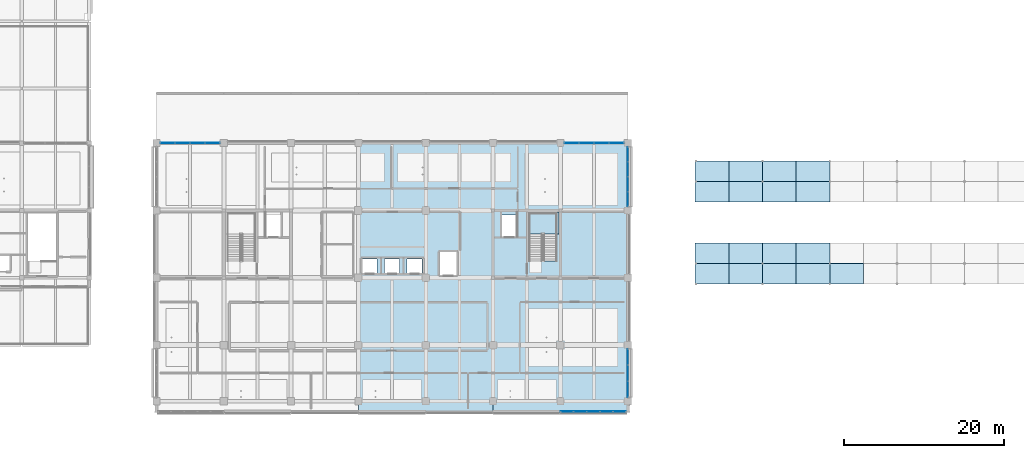
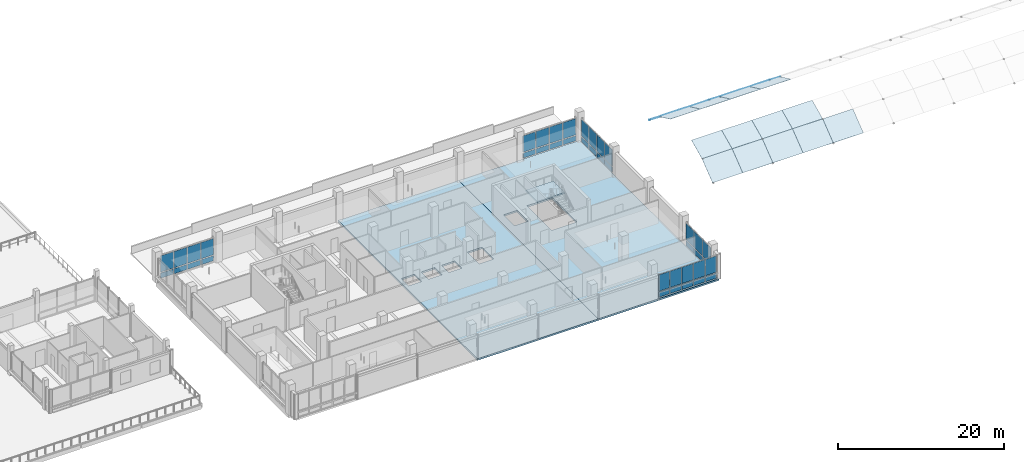
# One storey, part 18 of 59: 57 plates, 3 slabs, 6 elements without a shape of their own.
"""IFC4 building model written with IfcOpenShell, lengths in metres."""

from ifc_helpers import new_model, si_unit, direction, frame, origin, origin_2d, place, context, subcontext, project, spatial, polyline, rectangle, outline, extrude, material, layer, layer_set, type_object, element, aggregate, save


model = new_model("IFC4")

# Units and contexts
model_context = context("Model", 3, precision=1e-05, world=origin(), true_north=direction((0.0, 1.0)))
body_context = subcontext(model_context, "Body", "Model", "MODEL_VIEW")
ifc_project = project(units=[si_unit("LENGTHUNIT", "METRE"), si_unit("AREAUNIT", "SQUARE_METRE"), si_unit("VOLUMEUNIT", "CUBIC_METRE"), si_unit("PLANEANGLEUNIT", "RADIAN"), si_unit("MASSUNIT", "GRAM", prefix="KILO")], contexts=[model_context])

# Site, building, storey
site_placement = place(None, origin())
site = spatial("IfcSite", under=ifc_project, at=site_placement, CompositionType="ELEMENT")
building_placement = place(site_placement, origin())
building = spatial("IfcBuilding", under=site, at=building_placement, Name="Telukmera Botanical Conservatory", CompositionType="ELEMENT")
storey_placement = place(building_placement, frame((0.0, 0.0, 15.0)))
storey = spatial("IfcBuildingStorey", under=building, at=storey_placement, Name="L03", CompositionType="ELEMENT", Elevation=15.0)

# Plates
ifc_material_1 = material(Name="Low-iron laminated conservatory glass", Category="glass")
ifc_layer_1 = layer(ifc_material_1, 0.031982421875)
ifc_layer_set_1 = layer_set([ifc_layer_1], Name="Low-iron laminated conservatory glass")
plate_type_1 = type_object("IfcPlateType", Name="Conservatory Gridshell Laminated Skylight Facet 32", PredefinedType="USERDEFINED", material=ifc_layer_set_1)
plate_1_placement = place(storey_placement, frame((117.60205078125, 25.251953125, 1.453857421875), z_axis=(0.0, -0.617111539729, 0.786875687472), x_axis=(1.0, 0.0, 0.0)))
element("IfcPlate", 1, at=plate_1_placement, inside=storey, type_object=plate_type_1, Name="Conservatory Gridshell Glass Facet 01-04", ObjectType="SKYLIGHT_PANEL", PredefinedType="USERDEFINED", context=body_context, shape_type="SweptSolid", body=[
    extrude(outline(polyline([(0.0, 0.0), (4.196044921875, 0.0), (4.196044921875, 3.235762165058796), (0.0, 3.235762165058796), (0.0, 0.0)])), origin(), (0.0, 0.0, -1.0), 0.031982421875),
])
plate_2_placement = place(storey_placement, frame((117.60205078125, 27.802001953125, 3.453369140625), z_axis=(0.0, -0.425776142799, 0.904828534156), x_axis=(1.0, 0.0, 0.0)))
element("IfcPlate", 2, at=plate_2_placement, inside=storey, type_object=plate_type_1, Name="Conservatory Gridshell Glass Facet 01-05", ObjectType="SKYLIGHT_PANEL", PredefinedType="USERDEFINED", context=body_context, shape_type="SweptSolid", body=[
    extrude(outline(polyline([(0.0, 0.0), (4.196044921875, 0.0), (4.196044921875, 2.8136805387927852), (0.0, 2.8136805387927852), (0.0, 0.0)])), origin(), (0.0, 0.0, -1.0), 0.031982421875),
])
plate_3_placement = place(storey_placement, frame((117.60205078125, 35.451904296875, 4.6513671875), z_axis=(0.0, 0.425742716941, 0.904844262275), x_axis=(1.0, 0.0, 0.0)))
element("IfcPlate", 3, at=plate_3_placement, inside=storey, type_object=plate_type_1, Name="Conservatory Gridshell Glass Facet 01-08", ObjectType="SKYLIGHT_PANEL", PredefinedType="USERDEFINED", context=body_context, shape_type="SweptSolid", body=[
    extrude(outline(polyline([(0.0, 0.0), (4.196044921875, 0.0), (4.196044921875, 2.8139014461166436), (0.0, 2.8139014461166436), (0.0, 0.0)])), origin(), (0.0, 0.0, -1.0), 0.031982421875),
])
for number, where, z_axis, x_axis, name in (
    (4, (117.60205078125, 38.001953125, 3.45068359375), (0.0, 0.617111539729, 0.786875687472), (1.0, 0.0, 0.0), "Conservatory Gridshell Glass Facet 01-09"),
    (5, (121.802001953125, 25.251953125, 1.453857421875), (0.0, -0.617111539729, 0.786875687472), (1.0, 0.0, 0.0), "Conservatory Gridshell Glass Facet 02-04"),
):
    element("IfcPlate", number, at=place(storey_placement, frame(where, z_axis=z_axis, x_axis=x_axis)), inside=storey, type_object=plate_type_1, Name=name, ObjectType="SKYLIGHT_PANEL", PredefinedType="USERDEFINED", context=body_context, shape_type="SweptSolid", body=[
        extrude(outline(polyline([(0.0, 0.0), (4.196044921875, 0.0), (4.196044921875, 3.235762165058796), (0.0, 3.235762165058796), (0.0, 0.0)])), origin(), (0.0, 0.0, -1.0), 0.031982421875),
    ])
plate_4_placement = place(storey_placement, frame((121.802001953125, 27.802001953125, 3.453369140625), z_axis=(0.0, -0.425776142799, 0.904828534156), x_axis=(1.0, 0.0, 0.0)))
element("IfcPlate", 6, at=plate_4_placement, inside=storey, type_object=plate_type_1, Name="Conservatory Gridshell Glass Facet 02-05", ObjectType="SKYLIGHT_PANEL", PredefinedType="USERDEFINED", context=body_context, shape_type="SweptSolid", body=[
    extrude(outline(polyline([(0.0, 0.0), (4.196044921875, 0.0), (4.196044921875, 2.8136805387927852), (0.0, 2.8136805387927852), (0.0, 0.0)])), origin(), (0.0, 0.0, -1.0), 0.031982421875),
])
plate_5_placement = place(storey_placement, frame((121.802001953125, 35.451904296875, 4.6513671875), z_axis=(0.0, 0.425742716941, 0.904844262275), x_axis=(1.0, 0.0, 0.0)))
element("IfcPlate", 7, at=plate_5_placement, inside=storey, type_object=plate_type_1, Name="Conservatory Gridshell Glass Facet 02-08", ObjectType="SKYLIGHT_PANEL", PredefinedType="USERDEFINED", context=body_context, shape_type="SweptSolid", body=[
    extrude(outline(polyline([(0.0, 0.0), (4.196044921875, 0.0), (4.196044921875, 2.8139014461166436), (0.0, 2.8139014461166436), (0.0, 0.0)])), origin(), (0.0, 0.0, -1.0), 0.031982421875),
])
for number, where, z_axis, x_axis, name in (
    (8, (121.802001953125, 38.001953125, 3.45068359375), (0.0, 0.617111539729, 0.786875687472), (1.0, 0.0, 0.0), "Conservatory Gridshell Glass Facet 02-09"),
    (9, (126.001953125, 25.251953125, 1.453857421875), (0.0, -0.617111539729, 0.786875687472), (1.0, 0.0, 0.0), "Conservatory Gridshell Glass Facet 03-04"),
):
    element("IfcPlate", number, at=place(storey_placement, frame(where, z_axis=z_axis, x_axis=x_axis)), inside=storey, type_object=plate_type_1, Name=name, ObjectType="SKYLIGHT_PANEL", PredefinedType="USERDEFINED", context=body_context, shape_type="SweptSolid", body=[
        extrude(outline(polyline([(0.0, 0.0), (4.196044921875, 0.0), (4.196044921875, 3.235762165058796), (0.0, 3.235762165058796), (0.0, 0.0)])), origin(), (0.0, 0.0, -1.0), 0.031982421875),
    ])
plate_6_placement = place(storey_placement, frame((126.001953125, 27.802001953125, 3.453369140625), z_axis=(0.0, -0.425776142799, 0.904828534156), x_axis=(1.0, 0.0, 0.0)))
element("IfcPlate", 10, at=plate_6_placement, inside=storey, type_object=plate_type_1, Name="Conservatory Gridshell Glass Facet 03-05", ObjectType="SKYLIGHT_PANEL", PredefinedType="USERDEFINED", context=body_context, shape_type="SweptSolid", body=[
    extrude(outline(polyline([(0.0, 0.0), (4.196044921875, 0.0), (4.196044921875, 2.8136805387927852), (0.0, 2.8136805387927852), (0.0, 0.0)])), origin(), (0.0, 0.0, -1.0), 0.031982421875),
])
plate_7_placement = place(storey_placement, frame((126.001953125, 35.451904296875, 4.6513671875), z_axis=(0.0, 0.425742716941, 0.904844262275), x_axis=(1.0, 0.0, 0.0)))
element("IfcPlate", 11, at=plate_7_placement, inside=storey, type_object=plate_type_1, Name="Conservatory Gridshell Glass Facet 03-08", ObjectType="SKYLIGHT_PANEL", PredefinedType="USERDEFINED", context=body_context, shape_type="SweptSolid", body=[
    extrude(outline(polyline([(0.0, 0.0), (4.196044921875, 0.0), (4.196044921875, 2.8139014461166436), (0.0, 2.8139014461166436), (0.0, 0.0)])), origin(), (0.0, 0.0, -1.0), 0.031982421875),
])
for number, where, z_axis, x_axis, name in (
    (12, (126.001953125, 38.001953125, 3.45068359375), (0.0, 0.617111539729, 0.786875687472), (1.0, 0.0, 0.0), "Conservatory Gridshell Glass Facet 03-09"),
    (13, (130.201904296875, 25.251953125, 1.453857421875), (0.0, -0.617111539729, 0.786875687472), (1.0, 0.0, 0.0), "Conservatory Gridshell Glass Facet 04-04"),
):
    element("IfcPlate", number, at=place(storey_placement, frame(where, z_axis=z_axis, x_axis=x_axis)), inside=storey, type_object=plate_type_1, Name=name, ObjectType="SKYLIGHT_PANEL", PredefinedType="USERDEFINED", context=body_context, shape_type="SweptSolid", body=[
        extrude(outline(polyline([(0.0, 0.0), (4.196044921875, 0.0), (4.196044921875, 3.235762165058796), (0.0, 3.235762165058796), (0.0, 0.0)])), origin(), (0.0, 0.0, -1.0), 0.031982421875),
    ])
plate_8_placement = place(storey_placement, frame((130.201904296875, 27.802001953125, 3.453369140625), z_axis=(0.0, -0.425776142799, 0.904828534156), x_axis=(1.0, 0.0, 0.0)))
element("IfcPlate", 14, at=plate_8_placement, inside=storey, type_object=plate_type_1, Name="Conservatory Gridshell Glass Facet 04-05", ObjectType="SKYLIGHT_PANEL", PredefinedType="USERDEFINED", context=body_context, shape_type="SweptSolid", body=[
    extrude(outline(polyline([(0.0, 0.0), (4.196044921875, 0.0), (4.196044921875, 2.8136805387927852), (0.0, 2.8136805387927852), (0.0, 0.0)])), origin(), (0.0, 0.0, -1.0), 0.031982421875),
])
plate_9_placement = place(storey_placement, frame((130.201904296875, 35.451904296875, 4.6513671875), z_axis=(0.0, 0.425742716941, 0.904844262275), x_axis=(1.0, 0.0, 0.0)))
element("IfcPlate", 15, at=plate_9_placement, inside=storey, type_object=plate_type_1, Name="Conservatory Gridshell Glass Facet 04-08", ObjectType="SKYLIGHT_PANEL", PredefinedType="USERDEFINED", context=body_context, shape_type="SweptSolid", body=[
    extrude(outline(polyline([(0.0, 0.0), (4.196044921875, 0.0), (4.196044921875, 2.8139014461166436), (0.0, 2.8139014461166436), (0.0, 0.0)])), origin(), (0.0, 0.0, -1.0), 0.031982421875),
])
plate_10_placement = place(storey_placement, frame((130.201904296875, 38.001953125, 3.45068359375), z_axis=(0.0, 0.617111539729, 0.786875687472), x_axis=(1.0, 0.0, 0.0)))
element("IfcPlate", 16, at=plate_10_placement, inside=storey, type_object=plate_type_1, Name="Conservatory Gridshell Glass Facet 04-09", ObjectType="SKYLIGHT_PANEL", PredefinedType="USERDEFINED", context=body_context, shape_type="SweptSolid", body=[
    extrude(outline(polyline([(0.0, 0.0), (4.196044921875, 0.0), (4.196044921875, 3.235762165058796), (0.0, 3.235762165058796), (0.0, 0.0)])), origin(), (0.0, 0.0, -1.0), 0.031982421875),
])
plate_11_placement = place(storey_placement, frame((134.402099609375, 25.251953125, 1.453857421875), z_axis=(0.0, -0.617111539729, 0.786875687472), x_axis=(1.0, 0.0, 0.0)))
element("IfcPlate", 17, at=plate_11_placement, inside=storey, type_object=plate_type_1, Name="Conservatory Gridshell Glass Facet 05-04", ObjectType="SKYLIGHT_PANEL", PredefinedType="USERDEFINED", context=body_context, shape_type="SweptSolid", body=[
    extrude(outline(polyline([(0.0, 0.0), (4.19580078125, 0.0), (4.19580078125, 3.235762165058796), (0.0, 3.235762165058796), (0.0, 0.0)])), origin(), (0.0, 0.0, -1.0), 0.031982421875),
])

# Stair, slab
ifc_material_2 = material(Name="Concrete C40/50", Category="concrete")
stair_type = type_object("IfcStairType", Name="ST-ESC-4500", PredefinedType="HALF_TURN_STAIR", material=ifc_material_2)
stair_placement = place(storey_placement, origin())
stair = element("IfcStair", 18, at=stair_placement, inside=storey, type_object=stair_type, Name="L03 Protected Escape Stair ST2", PredefinedType="HALF_TURN_STAIR")
ifc_layer_2 = layer(ifc_material_2, 0.199951171875)
ifc_layer_set_2 = layer_set([ifc_layer_2], Name="Concrete C40/50")
slab_type_1 = type_object("IfcSlabType", Name="SL-LAND-200", PredefinedType="LANDING", material=ifc_layer_set_2)
slab_1_placement = place(storey_placement, frame((0.0, 0.0, 2.050048828125)))
slab_1 = element("IfcSlab", 19, at=slab_1_placement, type_object=slab_type_1, Name="ST2 landing 1", PredefinedType="LANDING", context=body_context, shape_type="SweptSolid", body=[
    extrude(outline(polyline([(96.7548828125, 31.449951171875), (100.594970703125, 31.449951171875), (100.594970703125, 34.195068359375), (96.7548828125, 34.195068359375), (96.7548828125, 31.449951171875)])), origin(), (0.0, 0.0, 1.0), 0.199951171875),
])
aggregate(stair, [slab_1])

# Slabs
ifc_layer_3 = layer(ifc_material_2, 0.25)
ifc_layer_set_3 = layer_set([ifc_layer_3], Name="Concrete C40/50")
slab_type_2 = type_object("IfcSlabType", Name="Slab_FS25", PredefinedType="FLOOR", material=ifc_layer_set_3)
slab_2_placement = place(storey_placement, frame((0.0, 0.0, -0.25)))
element("IfcSlab", 20, at=slab_2_placement, inside=storey, type_object=slab_type_2, Name="Tower Floor Slab L03 (CENT)", PredefinedType="FLOOR", context=body_context, shape_type="SweptSolid", body=[
    extrude(outline(polyline([(75.60009765625, 9.199951171875), (92.39990234375, 9.199951171875), (92.39990234375, 42.800048828125), (75.60009765625, 42.800048828125), (75.60009765625, 9.199951171875)]), holes=[polyline([(85.780029296875, 26.3798828125), (87.820068359375, 26.3798828125), (87.820068359375, 29.219970703125), (85.780029296875, 29.219970703125), (85.780029296875, 26.3798828125)]), polyline([(76.080078125, 26.6298828125), (77.919921875, 26.6298828125), (77.919921875, 28.3701171875), (76.080078125, 28.3701171875), (76.080078125, 26.6298828125)]), polyline([(78.8798828125, 26.6298828125), (80.719970703125, 26.6298828125), (80.719970703125, 28.3701171875), (78.8798828125, 28.3701171875), (78.8798828125, 26.6298828125)]), polyline([(81.679931640625, 26.6298828125), (83.52001953125, 26.6298828125), (83.52001953125, 28.3701171875), (81.679931640625, 28.3701171875), (81.679931640625, 26.6298828125)])]), origin(), (0.0, 0.0, 1.0), 0.25),
])
slab_3_placement = place(storey_placement, frame((0.0, 0.0, -0.25)))
element("IfcSlab", 21, at=slab_3_placement, inside=storey, type_object=slab_type_2, Name="Tower Floor Slab L03 (EAST)", PredefinedType="FLOOR", context=body_context, shape_type="SweptSolid", body=[
    extrude(outline(polyline([(92.39990234375, 9.199951171875), (109.199951171875, 9.199951171875), (109.199951171875, 42.800048828125), (92.39990234375, 42.800048828125), (92.39990234375, 9.199951171875)]), holes=[polyline([(100.35009765625, 28.093017578125), (100.35009765625, 34.050048828125), (96.8701171875, 34.050048828125), (96.8701171875, 28.093017578125), (100.35009765625, 28.093017578125)]), polyline([(93.47998046875, 31.179931640625), (95.320068359375, 31.179931640625), (95.320068359375, 33.820068359375), (93.47998046875, 33.820068359375), (93.47998046875, 31.179931640625)])]), origin(), (0.0, 0.0, 1.0), 0.25),
])

# Curtain wall, plates
ifc_material_3 = material(Name="Anodised aluminium 6063-T6", Category="aluminium")
ifc_layer_4 = layer(ifc_material_3, 0.179931640625)
ifc_layer_set_4 = layer_set([ifc_layer_4], Name="Anodised aluminium 6063-T6")
curtain_wall_type = type_object("IfcCurtainWallType", Name="Tower Herbarium Curation Corner Curtain Wall", PredefinedType="USERDEFINED", material=ifc_layer_set_4)
curtain_wall_1_placement = place(storey_placement, origin())
curtain_wall_1 = element("IfcCurtainWall", 22, at=curtain_wall_1_placement, inside=storey, type_object=curtain_wall_type, Name="Unitised Curtain Wall CW14 V4:L03:S7", ObjectType="UNITISED CURTAIN WALL", PredefinedType="USERDEFINED")
ifc_material_4 = material(Name="Spectrally selective low-E double glazing", Category="glass")
ifc_layer_5 = layer(ifc_material_4, 0.0380859375)
ifc_layer_set_5 = layer_set([ifc_layer_5], Name="Spectrally selective low-E double glazing")
plate_type_2 = type_object("IfcPlateType", Name="Solar Control Fritted Spandrel Glazing Panel 38", PredefinedType="CURTAIN_PANEL", material=ifc_layer_set_5)
plate_12_placement = place(storey_placement, frame((101.638916015625, 9.320068359375, 0.130126953125), z_axis=(0.0, 0.0, 1.0), x_axis=(1.0, 0.0, 0.0)))
plate_12 = element("IfcPlate", 23, at=plate_12_placement, type_object=plate_type_2, Name="CW14 panel 1.1", PredefinedType="CURTAIN_PANEL", context=body_context, shape_type="SweptSolid", body=[
    extrude(rectangle(XDim=1.543701171875, YDim=0.0380859375, at=origin_2d()), origin(), (0.0, 0.0, 1.0), 0.7548828125),
])
plate_13_placement = place(storey_placement, frame((101.638916015625, 9.320068359375, 1.01513671875), z_axis=(0.0, 0.0, 1.0), x_axis=(1.0, 0.0, 0.0)))
plate_13 = element("IfcPlate", 24, at=plate_13_placement, type_object=plate_type_2, Name="CW14 panel 1.2", PredefinedType="CURTAIN_PANEL", context=body_context, shape_type="SweptSolid", body=[
    extrude(rectangle(XDim=1.543701171875, YDim=0.0380859375, at=origin_2d()), origin(), (0.0, 0.0, 1.0), 2.405029296875),
])
plate_14_placement = place(storey_placement, frame((103.263916015625, 9.320068359375, 0.130126953125), z_axis=(0.0, 0.0, 1.0), x_axis=(1.0, 0.0, 0.0)))
plate_14 = element("IfcPlate", 25, at=plate_14_placement, type_object=plate_type_2, Name="CW14 panel 2.1", PredefinedType="CURTAIN_PANEL", context=body_context, shape_type="SweptSolid", body=[
    extrude(rectangle(XDim=1.576171875, YDim=0.0380859375, at=origin_2d()), origin(), (0.0, 0.0, 1.0), 0.7548828125),
])
plate_15_placement = place(storey_placement, frame((103.263916015625, 9.320068359375, 1.01513671875), z_axis=(0.0, 0.0, 1.0), x_axis=(1.0, 0.0, 0.0)))
plate_15 = element("IfcPlate", 26, at=plate_15_placement, type_object=plate_type_2, Name="CW14 panel 2.2", PredefinedType="CURTAIN_PANEL", context=body_context, shape_type="SweptSolid", body=[
    extrude(rectangle(XDim=1.576171875, YDim=0.0380859375, at=origin_2d()), origin(), (0.0, 0.0, 1.0), 2.405029296875),
])
plate_16_placement = place(storey_placement, frame((104.905029296875, 9.320068359375, 0.130126953125), z_axis=(0.0, 0.0, 1.0), x_axis=(1.0, 0.0, 0.0)))
plate_16 = element("IfcPlate", 27, at=plate_16_placement, type_object=plate_type_2, Name="CW14 panel 3.1", PredefinedType="CURTAIN_PANEL", context=body_context, shape_type="SweptSolid", body=[
    extrude(rectangle(XDim=1.576171875, YDim=0.0380859375, at=origin_2d()), origin(), (0.0, 0.0, 1.0), 0.7548828125),
])
plate_17_placement = place(storey_placement, frame((104.905029296875, 9.320068359375, 1.01513671875), z_axis=(0.0, 0.0, 1.0), x_axis=(1.0, 0.0, 0.0)))
plate_17 = element("IfcPlate", 28, at=plate_17_placement, type_object=plate_type_2, Name="CW14 panel 3.2", PredefinedType="CURTAIN_PANEL", context=body_context, shape_type="SweptSolid", body=[
    extrude(rectangle(XDim=1.576171875, YDim=0.0380859375, at=origin_2d()), origin(), (0.0, 0.0, 1.0), 2.405029296875),
])
plate_18_placement = place(storey_placement, frame((106.546142578125, 9.320068359375, 0.130126953125), z_axis=(0.0, 0.0, 1.0), x_axis=(1.0, 0.0, 0.0)))
plate_18 = element("IfcPlate", 29, at=plate_18_placement, type_object=plate_type_2, Name="CW14 panel 4.1", PredefinedType="CURTAIN_PANEL", context=body_context, shape_type="SweptSolid", body=[
    extrude(rectangle(XDim=1.576171875, YDim=0.0380859375, at=origin_2d()), origin(), (0.0, 0.0, 1.0), 0.7548828125),
])
plate_19_placement = place(storey_placement, frame((106.546142578125, 9.320068359375, 1.01513671875), z_axis=(0.0, 0.0, 1.0), x_axis=(1.0, 0.0, 0.0)))
plate_19 = element("IfcPlate", 30, at=plate_19_placement, type_object=plate_type_2, Name="CW14 panel 4.2", PredefinedType="CURTAIN_PANEL", context=body_context, shape_type="SweptSolid", body=[
    extrude(rectangle(XDim=1.576171875, YDim=0.0380859375, at=origin_2d()), origin(), (0.0, 0.0, 1.0), 2.405029296875),
])
plate_20_placement = place(storey_placement, frame((108.171142578125, 9.320068359375, 0.130126953125), z_axis=(0.0, 0.0, 1.0), x_axis=(1.0, 0.0, 0.0)))
plate_20 = element("IfcPlate", 31, at=plate_20_placement, type_object=plate_type_2, Name="CW14 panel 5.1", PredefinedType="CURTAIN_PANEL", context=body_context, shape_type="SweptSolid", body=[
    extrude(rectangle(XDim=1.543701171875, YDim=0.0380859375, at=origin_2d()), origin(), (0.0, 0.0, 1.0), 0.7548828125),
])
plate_21_placement = place(storey_placement, frame((108.171142578125, 9.320068359375, 1.01513671875), z_axis=(0.0, 0.0, 1.0), x_axis=(1.0, 0.0, 0.0)))
plate_21 = element("IfcPlate", 32, at=plate_21_placement, type_object=plate_type_2, Name="CW14 panel 5.2", PredefinedType="CURTAIN_PANEL", context=body_context, shape_type="SweptSolid", body=[
    extrude(rectangle(XDim=1.543701171875, YDim=0.0380859375, at=origin_2d()), origin(), (0.0, 0.0, 1.0), 2.405029296875),
])
aggregate(curtain_wall_1, [plate_12, plate_13, plate_14, plate_15, plate_16, plate_17, plate_18, plate_19, plate_20, plate_21])

curtain_wall_2_placement = place(storey_placement, origin())
curtain_wall_2 = element("IfcCurtainWall", 33, at=curtain_wall_2_placement, inside=storey, type_object=curtain_wall_type, Name="Unitised Curtain Wall CW14 V4:L03:N1", ObjectType="UNITISED CURTAIN WALL", PredefinedType="USERDEFINED")
plate_22_placement = place(storey_placement, frame((51.80517578125, 42.800048828125, 0.130126953125), z_axis=(0.0, 0.0, 1.0), x_axis=(1.0, 0.0, 0.0)))
plate_22 = element("IfcPlate", 34, at=plate_22_placement, type_object=plate_type_2, Name="CW14 panel 1.1", PredefinedType="CURTAIN_PANEL", context=body_context, shape_type="SweptSolid", body=[
    extrude(rectangle(XDim=1.776611328125, YDim=0.0380859375, at=origin_2d()), origin(), (0.0, 0.0, 1.0), 0.7548828125),
])
plate_23_placement = place(storey_placement, frame((51.80517578125, 42.800048828125, 1.01513671875), z_axis=(0.0, 0.0, 1.0), x_axis=(1.0, 0.0, 0.0)))
plate_23 = element("IfcPlate", 35, at=plate_23_placement, type_object=plate_type_2, Name="CW14 panel 1.2", PredefinedType="CURTAIN_PANEL", context=body_context, shape_type="SweptSolid", body=[
    extrude(rectangle(XDim=1.776611328125, YDim=0.0380859375, at=origin_2d()), origin(), (0.0, 0.0, 1.0), 2.405029296875),
])
plate_24_placement = place(storey_placement, frame((53.6630859375, 42.800048828125, 0.130126953125), z_axis=(0.0, 0.0, 1.0), x_axis=(1.0, 0.0, 0.0)))
plate_24 = element("IfcPlate", 36, at=plate_24_placement, type_object=plate_type_2, Name="CW14 panel 2.1", PredefinedType="CURTAIN_PANEL", context=body_context, shape_type="SweptSolid", body=[
    extrude(rectangle(XDim=1.80908203125, YDim=0.0380859375, at=origin_2d()), origin(), (0.0, 0.0, 1.0), 0.7548828125),
])
plate_25_placement = place(storey_placement, frame((53.6630859375, 42.800048828125, 1.01513671875), z_axis=(0.0, 0.0, 1.0), x_axis=(1.0, 0.0, 0.0)))
plate_25 = element("IfcPlate", 37, at=plate_25_placement, type_object=plate_type_2, Name="CW14 panel 2.2", PredefinedType="CURTAIN_PANEL", context=body_context, shape_type="SweptSolid", body=[
    extrude(rectangle(XDim=1.80908203125, YDim=0.0380859375, at=origin_2d()), origin(), (0.0, 0.0, 1.0), 2.405029296875),
])
plate_26_placement = place(storey_placement, frame((55.537109375, 42.800048828125, 0.130126953125), z_axis=(0.0, 0.0, 1.0), x_axis=(1.0, 0.0, 0.0)))
plate_26 = element("IfcPlate", 38, at=plate_26_placement, type_object=plate_type_2, Name="CW14 panel 3.1", PredefinedType="CURTAIN_PANEL", context=body_context, shape_type="SweptSolid", body=[
    extrude(rectangle(XDim=1.80908203125, YDim=0.0380859375, at=origin_2d()), origin(), (0.0, 0.0, 1.0), 0.7548828125),
])
plate_27_placement = place(storey_placement, frame((55.537109375, 42.800048828125, 1.01513671875), z_axis=(0.0, 0.0, 1.0), x_axis=(1.0, 0.0, 0.0)))
plate_27 = element("IfcPlate", 39, at=plate_27_placement, type_object=plate_type_2, Name="CW14 panel 3.2", PredefinedType="CURTAIN_PANEL", context=body_context, shape_type="SweptSolid", body=[
    extrude(rectangle(XDim=1.80908203125, YDim=0.0380859375, at=origin_2d()), origin(), (0.0, 0.0, 1.0), 2.405029296875),
])
plate_28_placement = place(storey_placement, frame((57.394775390625, 42.800048828125, 0.130126953125), z_axis=(0.0, 0.0, 1.0), x_axis=(1.0, 0.0, 0.0)))
plate_28 = element("IfcPlate", 40, at=plate_28_placement, type_object=plate_type_2, Name="CW14 panel 4.1", PredefinedType="CURTAIN_PANEL", context=body_context, shape_type="SweptSolid", body=[
    extrude(rectangle(XDim=1.776611328125, YDim=0.0380859375, at=origin_2d()), origin(), (0.0, 0.0, 1.0), 0.7548828125),
])
plate_29_placement = place(storey_placement, frame((57.394775390625, 42.800048828125, 1.01513671875), z_axis=(0.0, 0.0, 1.0), x_axis=(1.0, 0.0, 0.0)))
plate_29 = element("IfcPlate", 41, at=plate_29_placement, type_object=plate_type_2, Name="CW14 panel 4.2", PredefinedType="CURTAIN_PANEL", context=body_context, shape_type="SweptSolid", body=[
    extrude(rectangle(XDim=1.776611328125, YDim=0.0380859375, at=origin_2d()), origin(), (0.0, 0.0, 1.0), 2.405029296875),
])
aggregate(curtain_wall_2, [plate_22, plate_23, plate_24, plate_25, plate_26, plate_27, plate_28, plate_29])

curtain_wall_3_placement = place(storey_placement, origin())
curtain_wall_3 = element("IfcCurtainWall", 42, at=curtain_wall_3_placement, inside=storey, type_object=curtain_wall_type, Name="Unitised Curtain Wall CW14 V4:L03:N7", ObjectType="UNITISED CURTAIN WALL", PredefinedType="USERDEFINED")
plate_30_placement = place(storey_placement, frame((102.205322265625, 42.800048828125, 0.130126953125), z_axis=(0.0, 0.0, 1.0), x_axis=(1.0, 0.0, 0.0)))
plate_30 = element("IfcPlate", 43, at=plate_30_placement, type_object=plate_type_2, Name="CW14 panel 1.1", PredefinedType="CURTAIN_PANEL", context=body_context, shape_type="SweptSolid", body=[
    extrude(rectangle(XDim=1.776611328125, YDim=0.0380859375, at=origin_2d()), origin(), (0.0, 0.0, 1.0), 0.7548828125),
])
plate_31_placement = place(storey_placement, frame((102.205322265625, 42.800048828125, 1.01513671875), z_axis=(0.0, 0.0, 1.0), x_axis=(1.0, 0.0, 0.0)))
plate_31 = element("IfcPlate", 44, at=plate_31_placement, type_object=plate_type_2, Name="CW14 panel 1.2", PredefinedType="CURTAIN_PANEL", context=body_context, shape_type="SweptSolid", body=[
    extrude(rectangle(XDim=1.776611328125, YDim=0.0380859375, at=origin_2d()), origin(), (0.0, 0.0, 1.0), 2.405029296875),
])
plate_32_placement = place(storey_placement, frame((104.06298828125, 42.800048828125, 0.130126953125), z_axis=(0.0, 0.0, 1.0), x_axis=(1.0, 0.0, 0.0)))
plate_32 = element("IfcPlate", 45, at=plate_32_placement, type_object=plate_type_2, Name="CW14 panel 2.1", PredefinedType="CURTAIN_PANEL", context=body_context, shape_type="SweptSolid", body=[
    extrude(rectangle(XDim=1.80908203125, YDim=0.0380859375, at=origin_2d()), origin(), (0.0, 0.0, 1.0), 0.7548828125),
])
plate_33_placement = place(storey_placement, frame((104.06298828125, 42.800048828125, 1.01513671875), z_axis=(0.0, 0.0, 1.0), x_axis=(1.0, 0.0, 0.0)))
plate_33 = element("IfcPlate", 46, at=plate_33_placement, type_object=plate_type_2, Name="CW14 panel 2.2", PredefinedType="CURTAIN_PANEL", context=body_context, shape_type="SweptSolid", body=[
    extrude(rectangle(XDim=1.80908203125, YDim=0.0380859375, at=origin_2d()), origin(), (0.0, 0.0, 1.0), 2.405029296875),
])
plate_34_placement = place(storey_placement, frame((105.93701171875, 42.800048828125, 0.130126953125), z_axis=(0.0, 0.0, 1.0), x_axis=(1.0, 0.0, 0.0)))
plate_34 = element("IfcPlate", 47, at=plate_34_placement, type_object=plate_type_2, Name="CW14 panel 3.1", PredefinedType="CURTAIN_PANEL", context=body_context, shape_type="SweptSolid", body=[
    extrude(rectangle(XDim=1.80908203125, YDim=0.0380859375, at=origin_2d()), origin(), (0.0, 0.0, 1.0), 0.7548828125),
])
plate_35_placement = place(storey_placement, frame((105.93701171875, 42.800048828125, 1.01513671875), z_axis=(0.0, 0.0, 1.0), x_axis=(1.0, 0.0, 0.0)))
plate_35 = element("IfcPlate", 48, at=plate_35_placement, type_object=plate_type_2, Name="CW14 panel 3.2", PredefinedType="CURTAIN_PANEL", context=body_context, shape_type="SweptSolid", body=[
    extrude(rectangle(XDim=1.80908203125, YDim=0.0380859375, at=origin_2d()), origin(), (0.0, 0.0, 1.0), 2.405029296875),
])
plate_36_placement = place(storey_placement, frame((107.794677734375, 42.800048828125, 0.130126953125), z_axis=(0.0, 0.0, 1.0), x_axis=(1.0, 0.0, 0.0)))
plate_36 = element("IfcPlate", 49, at=plate_36_placement, type_object=plate_type_2, Name="CW14 panel 4.1", PredefinedType="CURTAIN_PANEL", context=body_context, shape_type="SweptSolid", body=[
    extrude(rectangle(XDim=1.776611328125, YDim=0.0380859375, at=origin_2d()), origin(), (0.0, 0.0, 1.0), 0.7548828125),
])
plate_37_placement = place(storey_placement, frame((107.794677734375, 42.800048828125, 1.01513671875), z_axis=(0.0, 0.0, 1.0), x_axis=(1.0, 0.0, 0.0)))
plate_37 = element("IfcPlate", 50, at=plate_37_placement, type_object=plate_type_2, Name="CW14 panel 4.2", PredefinedType="CURTAIN_PANEL", context=body_context, shape_type="SweptSolid", body=[
    extrude(rectangle(XDim=1.776611328125, YDim=0.0380859375, at=origin_2d()), origin(), (0.0, 0.0, 1.0), 2.405029296875),
])
aggregate(curtain_wall_3, [plate_30, plate_31, plate_32, plate_33, plate_34, plate_35, plate_36, plate_37])

curtain_wall_4_placement = place(storey_placement, origin())
curtain_wall_4 = element("IfcCurtainWall", 51, at=curtain_wall_4_placement, inside=storey, type_object=curtain_wall_type, Name="Unitised Curtain Wall CW14 V4:L03:E1", ObjectType="UNITISED CURTAIN WALL", PredefinedType="USERDEFINED")
plate_38_placement = place(storey_placement, frame((109.199951171875, 12.084228515625, 0.130126953125), z_axis=(0.0, 0.0, 1.0), x_axis=(0.0, 1.0, 0.0)))
plate_38 = element("IfcPlate", 52, at=plate_38_placement, type_object=plate_type_2, Name="CW14 panel 1.1", PredefinedType="CURTAIN_PANEL", context=body_context, shape_type="SweptSolid", body=[
    extrude(rectangle(XDim=1.9345703125, YDim=0.0380859375, at=origin_2d()), origin(), (0.0, 0.0, 1.0), 0.7548828125),
])
plate_39_placement = place(storey_placement, frame((109.199951171875, 12.084228515625, 1.01513671875), z_axis=(0.0, 0.0, 1.0), x_axis=(0.0, 1.0, 0.0)))
plate_39 = element("IfcPlate", 53, at=plate_39_placement, type_object=plate_type_2, Name="CW14 panel 1.2", PredefinedType="CURTAIN_PANEL", context=body_context, shape_type="SweptSolid", body=[
    extrude(rectangle(XDim=1.9345703125, YDim=0.0380859375, at=origin_2d()), origin(), (0.0, 0.0, 1.0), 2.405029296875),
])
plate_40_placement = place(storey_placement, frame((109.199951171875, 14.10009765625, 0.130126953125), z_axis=(0.0, 0.0, 1.0), x_axis=(0.0, 1.0, 0.0)))
plate_40 = element("IfcPlate", 54, at=plate_40_placement, type_object=plate_type_2, Name="CW14 panel 2.1", PredefinedType="CURTAIN_PANEL", context=body_context, shape_type="SweptSolid", body=[
    extrude(rectangle(XDim=1.967041015625, YDim=0.0380859375, at=origin_2d()), origin(), (0.0, 0.0, 1.0), 0.7548828125),
])
plate_41_placement = place(storey_placement, frame((109.199951171875, 14.10009765625, 1.01513671875), z_axis=(0.0, 0.0, 1.0), x_axis=(0.0, 1.0, 0.0)))
plate_41 = element("IfcPlate", 55, at=plate_41_placement, type_object=plate_type_2, Name="CW14 panel 2.2", PredefinedType="CURTAIN_PANEL", context=body_context, shape_type="SweptSolid", body=[
    extrude(rectangle(XDim=1.967041015625, YDim=0.0380859375, at=origin_2d()), origin(), (0.0, 0.0, 1.0), 2.405029296875),
])
plate_42_placement = place(storey_placement, frame((109.199951171875, 16.11572265625, 0.130126953125), z_axis=(0.0, 0.0, 1.0), x_axis=(0.0, 1.0, 0.0)))
plate_42 = element("IfcPlate", 56, at=plate_42_placement, type_object=plate_type_2, Name="CW14 panel 3.1", PredefinedType="CURTAIN_PANEL", context=body_context, shape_type="SweptSolid", body=[
    extrude(rectangle(XDim=1.9345703125, YDim=0.0380859375, at=origin_2d()), origin(), (0.0, 0.0, 1.0), 0.7548828125),
])
plate_43_placement = place(storey_placement, frame((109.199951171875, 16.11572265625, 1.01513671875), z_axis=(0.0, 0.0, 1.0), x_axis=(0.0, 1.0, 0.0)))
plate_43 = element("IfcPlate", 57, at=plate_43_placement, type_object=plate_type_2, Name="CW14 panel 3.2", PredefinedType="CURTAIN_PANEL", context=body_context, shape_type="SweptSolid", body=[
    extrude(rectangle(XDim=1.9345703125, YDim=0.0380859375, at=origin_2d()), origin(), (0.0, 0.0, 1.0), 2.405029296875),
])
aggregate(curtain_wall_4, [plate_38, plate_39, plate_40, plate_41, plate_42, plate_43])

curtain_wall_5_placement = place(storey_placement, origin())
curtain_wall_5 = element("IfcCurtainWall", 58, at=curtain_wall_5_placement, inside=storey, type_object=curtain_wall_type, Name="Unitised Curtain Wall CW14 V4:L03:E4", ObjectType="UNITISED CURTAIN WALL", PredefinedType="USERDEFINED")
plate_44_placement = place(storey_placement, frame((109.199951171875, 35.80517578125, 0.130126953125), z_axis=(0.0, 0.0, 1.0), x_axis=(0.0, 1.0, 0.0)))
plate_44 = element("IfcPlate", 59, at=plate_44_placement, type_object=plate_type_2, Name="CW14 panel 1.1", PredefinedType="CURTAIN_PANEL", context=body_context, shape_type="SweptSolid", body=[
    extrude(rectangle(XDim=1.776611328125, YDim=0.0380859375, at=origin_2d()), origin(), (0.0, 0.0, 1.0), 0.7548828125),
])
plate_45_placement = place(storey_placement, frame((109.199951171875, 35.80517578125, 1.01513671875), z_axis=(0.0, 0.0, 1.0), x_axis=(0.0, 1.0, 0.0)))
plate_45 = element("IfcPlate", 60, at=plate_45_placement, type_object=plate_type_2, Name="CW14 panel 1.2", PredefinedType="CURTAIN_PANEL", context=body_context, shape_type="SweptSolid", body=[
    extrude(rectangle(XDim=1.776611328125, YDim=0.0380859375, at=origin_2d()), origin(), (0.0, 0.0, 1.0), 2.405029296875),
])
plate_46_placement = place(storey_placement, frame((109.199951171875, 37.6630859375, 0.130126953125), z_axis=(0.0, 0.0, 1.0), x_axis=(0.0, 1.0, 0.0)))
plate_46 = element("IfcPlate", 61, at=plate_46_placement, type_object=plate_type_2, Name="CW14 panel 2.1", PredefinedType="CURTAIN_PANEL", context=body_context, shape_type="SweptSolid", body=[
    extrude(rectangle(XDim=1.80908203125, YDim=0.0380859375, at=origin_2d()), origin(), (0.0, 0.0, 1.0), 0.7548828125),
])
plate_47_placement = place(storey_placement, frame((109.199951171875, 37.6630859375, 1.01513671875), z_axis=(0.0, 0.0, 1.0), x_axis=(0.0, 1.0, 0.0)))
plate_47 = element("IfcPlate", 62, at=plate_47_placement, type_object=plate_type_2, Name="CW14 panel 2.2", PredefinedType="CURTAIN_PANEL", context=body_context, shape_type="SweptSolid", body=[
    extrude(rectangle(XDim=1.80908203125, YDim=0.0380859375, at=origin_2d()), origin(), (0.0, 0.0, 1.0), 2.405029296875),
])
plate_48_placement = place(storey_placement, frame((109.199951171875, 39.537109375, 0.130126953125), z_axis=(0.0, 0.0, 1.0), x_axis=(0.0, 1.0, 0.0)))
plate_48 = element("IfcPlate", 63, at=plate_48_placement, type_object=plate_type_2, Name="CW14 panel 3.1", PredefinedType="CURTAIN_PANEL", context=body_context, shape_type="SweptSolid", body=[
    extrude(rectangle(XDim=1.80908203125, YDim=0.0380859375, at=origin_2d()), origin(), (0.0, 0.0, 1.0), 0.7548828125),
])
plate_49_placement = place(storey_placement, frame((109.199951171875, 39.537109375, 1.01513671875), z_axis=(0.0, 0.0, 1.0), x_axis=(0.0, 1.0, 0.0)))
plate_49 = element("IfcPlate", 64, at=plate_49_placement, type_object=plate_type_2, Name="CW14 panel 3.2", PredefinedType="CURTAIN_PANEL", context=body_context, shape_type="SweptSolid", body=[
    extrude(rectangle(XDim=1.80908203125, YDim=0.0380859375, at=origin_2d()), origin(), (0.0, 0.0, 1.0), 2.405029296875),
])
plate_50_placement = place(storey_placement, frame((109.199951171875, 41.394775390625, 0.130126953125), z_axis=(0.0, 0.0, 1.0), x_axis=(0.0, 1.0, 0.0)))
plate_50 = element("IfcPlate", 65, at=plate_50_placement, type_object=plate_type_2, Name="CW14 panel 4.1", PredefinedType="CURTAIN_PANEL", context=body_context, shape_type="SweptSolid", body=[
    extrude(rectangle(XDim=1.776611328125, YDim=0.0380859375, at=origin_2d()), origin(), (0.0, 0.0, 1.0), 0.7548828125),
])
plate_51_placement = place(storey_placement, frame((109.199951171875, 41.394775390625, 1.01513671875), z_axis=(0.0, 0.0, 1.0), x_axis=(0.0, 1.0, 0.0)))
plate_51 = element("IfcPlate", 66, at=plate_51_placement, type_object=plate_type_2, Name="CW14 panel 4.2", PredefinedType="CURTAIN_PANEL", context=body_context, shape_type="SweptSolid", body=[
    extrude(rectangle(XDim=1.776611328125, YDim=0.0380859375, at=origin_2d()), origin(), (0.0, 0.0, 1.0), 2.405029296875),
])
aggregate(curtain_wall_5, [plate_44, plate_45, plate_46, plate_47, plate_48, plate_49, plate_50, plate_51])

save(model, "model.ifc")
